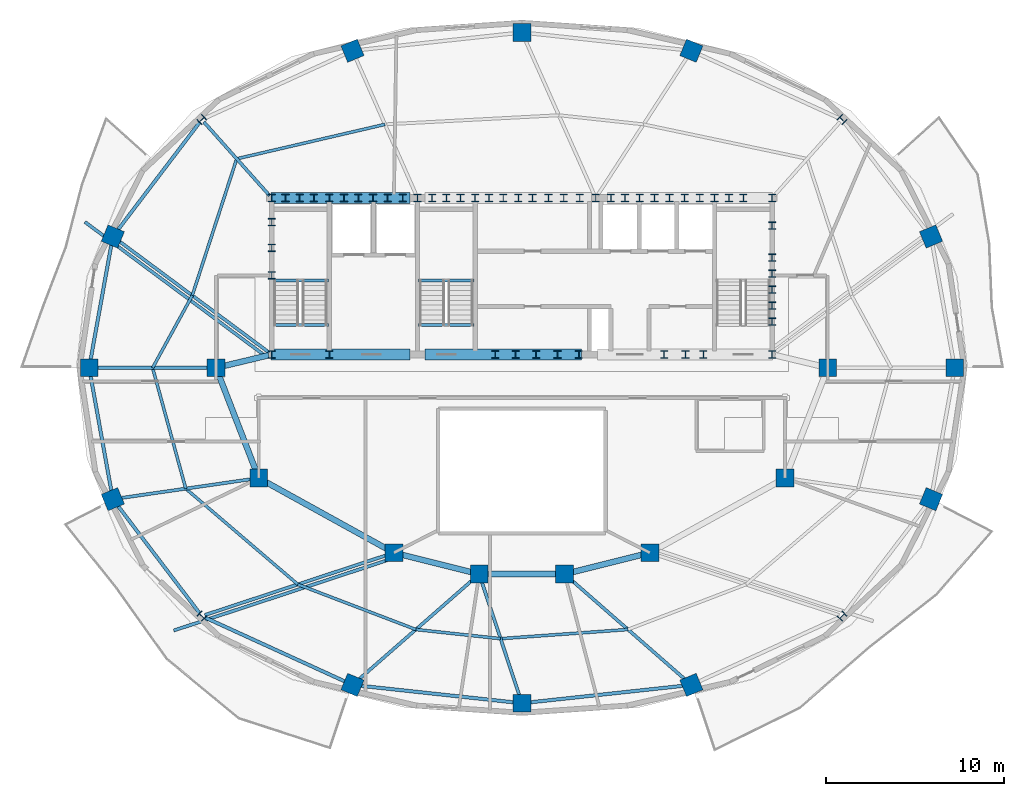
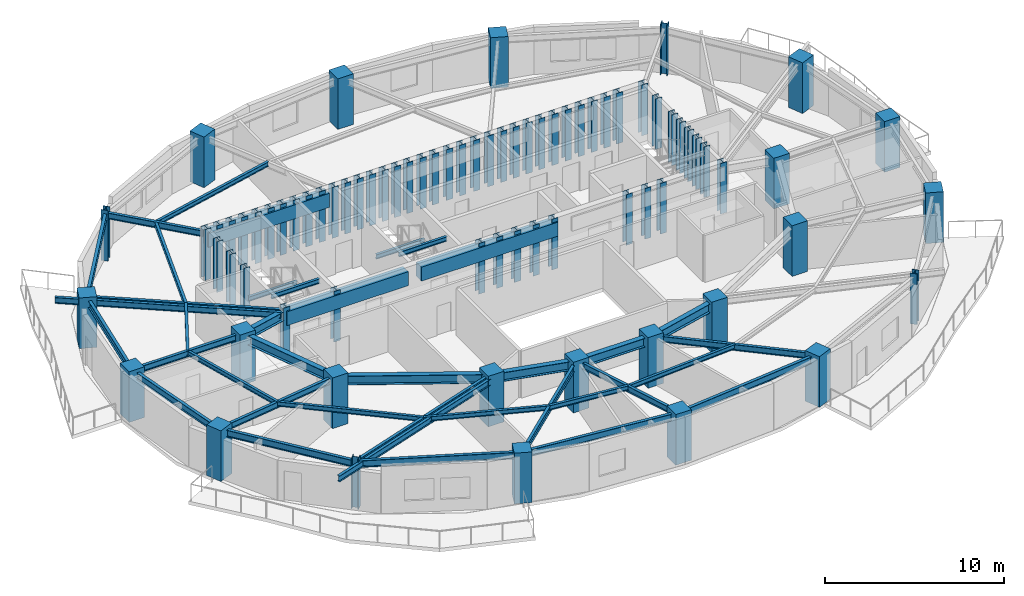
# One storey, part 1 of 9: 78 columns, 38 beams.
"""IFC4 building model written with IfcOpenShell, lengths in metres."""

from ifc_helpers import new_model, si_unit, direction, frame, origin, origin_2d, place, context, subcontext, project, spatial, rectangle, i_section, extrude, material, material_profile, profile_set, type_object, element, save


model = new_model("IFC4")

# Units and contexts
model_context = context("Model", 3, precision=1e-05, world=origin(), true_north=direction((0.0, 1.0)))
body_context = subcontext(model_context, "Body", "Model", "MODEL_VIEW")
ifc_project = project(units=[si_unit("LENGTHUNIT", "METRE"), si_unit("AREAUNIT", "SQUARE_METRE"), si_unit("VOLUMEUNIT", "CUBIC_METRE"), si_unit("PLANEANGLEUNIT", "RADIAN"), si_unit("MASSUNIT", "GRAM", prefix="KILO")], contexts=[model_context])

# Site, building, storey
site_placement = place(None, origin())
site = spatial("IfcSite", under=ifc_project, at=site_placement, CompositionType="ELEMENT")
building_placement = place(site_placement, origin())
building = spatial("IfcBuilding", under=site, at=building_placement, Name="Haldorwick Loom Tower", CompositionType="ELEMENT")
storey_placement = place(building_placement, frame((0.0, 0.0, 252.300048828125)))
storey = spatial("IfcBuildingStorey", under=building, at=storey_placement, Name="L68", CompositionType="ELEMENT", Elevation=252.300048828125)

# Columns
ifc_material_1 = material(Name="Concrete C60 (60 MPa)", Category="concrete")
ifc_material_profile_1 = material_profile(ifc_material_1, rectangle(XDim=1.0, YDim=1.0, at=origin_2d()), Name="RC1000X1000", Category="concrete")
ifc_profile_set_1 = profile_set([ifc_material_profile_1], Name="Concrete C60 (60 MPa)")
column_type_1 = type_object("IfcColumnType", Name="STR-COL-RC1000", PredefinedType="COLUMN", material=ifc_profile_set_1)
for number, where, z_axis, x_axis, name in (
    (1, (53.199951171875, 26.0, 0.0), (0.0, 0.0, 1.0), (1.0, 0.0, 0.0), "L68 Inner Column IC-01"),
    (2, (50.800048828125, 19.800048828125, 0.0), (0.0, 0.0, 1.0), (1.0, 0.0, 0.0), "L68 Inner Column IC-02"),
    (3, (43.199951171875, 15.60009765625, 0.0), (0.0, 0.0, 1.0), (1.0, 0.0, 0.0), "L68 Inner Column IC-03"),
    (4, (38.39990234375, 14.39990234375, 0.0), (0.0, 0.0, 1.0), (1.0, 0.0, 0.0), "L68 Inner Column IC-04"),
    (5, (33.60009765625, 14.39990234375, 0.0), (0.0, 0.0, 1.0), (1.0, 0.0, 0.0), "L68 Inner Column IC-05"),
    (6, (28.800048828125, 15.60009765625, 0.0), (0.0, 0.0, 1.0), (1.0, 0.0, 0.0), "L68 Inner Column IC-06"),
    (7, (21.199951171875, 19.800048828125, 0.0), (0.0, 0.0, 1.0), (1.0, 0.0, 0.0), "L68 Inner Column IC-07"),
    (8, (18.800048828125, 26.0, 0.0), (0.0, 0.0, 1.0), (1.0, 0.0, 0.0), "L68 Inner Column IC-08"),
    (9, (60.3369140625, 26.0, 0.0), (0.0, 0.0, 1.0), (1.0, 0.0, 0.0), "L68 Perimeter Pier Column P01"),
    (10, (59.004638671875, 33.3857421875, 0.0), (0.0, 0.0, 1.0), (0.923879532511, 0.382683432365, 0.0), "L68 Perimeter Pier Column P02"),
    (11, (45.52880859375, 43.830810546875, 0.0), (0.0, 0.0, 1.0), (0.382683432365, 0.923879532511, 0.0), "L68 Perimeter Pier Column P04"),
    (12, (36.0, 44.860107421875, 0.0), (0.0, 0.0, 1.0), (0.0, 1.0, 0.0), "L68 Perimeter Pier Column P05"),
    (13, (26.47119140625, 43.830810546875, 0.0), (0.0, 0.0, 1.0), (-0.382683432365, 0.923879532511, 0.0), "L68 Perimeter Pier Column P06"),
    (14, (12.995361328125, 33.3857421875, 0.0), (0.0, 0.0, 1.0), (-0.923879532511, 0.382683432365, 0.0), "L68 Perimeter Pier Column P08"),
    (15, (11.6630859375, 26.0, 0.0), (0.0, 0.0, 1.0), (-1.0, 0.0, 0.0), "L68 Perimeter Pier Column P09"),
    (16, (12.995361328125, 18.6142578125, 0.0), (0.0, 0.0, 1.0), (-0.923879532511, -0.382683432365, 0.0), "L68 Perimeter Pier Column P10"),
    (17, (26.47119140625, 8.169189453125, 0.0), (0.0, 0.0, 1.0), (-0.382683432365, -0.923879532511, 0.0), "L68 Perimeter Pier Column P12"),
    (18, (36.0, 7.139892578125, 0.0), (0.0, 0.0, 1.0), (0.0, -1.0, 0.0), "L68 Perimeter Pier Column P13"),
    (19, (45.52880859375, 8.169189453125, 0.0), (0.0, 0.0, 1.0), (0.382683432365, -0.923879532511, 0.0), "L68 Perimeter Pier Column P14"),
    (20, (59.004638671875, 18.6142578125, 0.0), (0.0, 0.0, 1.0), (0.923879532511, -0.382683432365, 0.0), "L68 Perimeter Pier Column P16"),
):
    element("IfcColumn", number, at=place(storey_placement, frame(where, z_axis=z_axis, x_axis=x_axis)), inside=storey, type_object=column_type_1, Name=name, PredefinedType="COLUMN", context=body_context, shape_type="SweptSolid", body=[
        extrude(rectangle(XDim=1.0, YDim=1.0, at=origin_2d()), origin(), (0.0, 0.0, 1.0), 3.449951171875),
    ])
ifc_material_2 = material(Name="Steel CSA G40.21 350W", Category="steel")
ifc_material_profile_2 = material_profile(ifc_material_2, i_section(OverallWidth=0.406005859375, OverallDepth=0.416015625, WebThickness=0.024169921875, FlangeThickness=0.03857421875, at=origin_2d()), Name="W360X382", Category="steel")
ifc_profile_set_2 = profile_set([ifc_material_profile_2], Name="Steel CSA G40.21 350W")
column_type_2 = type_object("IfcColumnType", Name="STR-COL-W360X382", PredefinedType="COLUMN", material=ifc_profile_set_2)
for number, where, z_axis, x_axis, name in (
    (21, (21.929931640625, 35.550048828125, 0.0), (0.0, 0.0, 1.0), (1.0, 0.0, 0.0), "L68 Core Pilaster CB-01"),
    (22, (23.5, 35.550048828125, 0.0), (0.0, 0.0, 1.0), (1.0, 0.0, 0.0), "L68 Core Pilaster CB-02"),
    (23, (25.169921875, 35.550048828125, 0.0), (0.0, 0.0, 1.0), (1.0, 0.0, 0.0), "L68 Core Pilaster CB-03"),
    (24, (26.800048828125, 35.550048828125, 0.0), (0.0, 0.0, 1.0), (1.0, 0.0, 0.0), "L68 Core Pilaster CB-04"),
    (25, (28.449951171875, 35.550048828125, 0.0), (0.0, 0.0, 1.0), (1.0, 0.0, 0.0), "L68 Core Pilaster CB-05"),
    (26, (30.1298828125, 35.550048828125, 0.0), (0.0, 0.0, 1.0), (1.0, 0.0, 0.0), "L68 Core Pilaster CB-06"),
    (27, (31.75, 35.550048828125, 0.0), (0.0, 0.0, 1.0), (1.0, 0.0, 0.0), "L68 Core Pilaster CB-07"),
    (28, (33.3701171875, 35.550048828125, 0.0), (0.0, 0.0, 1.0), (1.0, 0.0, 0.0), "L68 Core Pilaster CB-08"),
    (29, (34.949951171875, 35.550048828125, 0.0), (0.0, 0.0, 1.0), (1.0, 0.0, 0.0), "L68 Core Pilaster CB-09"),
    (30, (36.60009765625, 35.550048828125, 0.0), (0.0, 0.0, 1.0), (1.0, 0.0, 0.0), "L68 Core Pilaster CB-10"),
    (31, (38.35009765625, 35.550048828125, 0.0), (0.0, 0.0, 1.0), (1.0, 0.0, 0.0), "L68 Core Pilaster CB-11"),
    (32, (40.14990234375, 35.550048828125, 0.0), (0.0, 0.0, 1.0), (1.0, 0.0, 0.0), "L68 Core Pilaster CB-12"),
    (33, (41.800048828125, 35.550048828125, 0.0), (0.0, 0.0, 1.0), (1.0, 0.0, 0.0), "L68 Core Pilaster CB-13"),
    (34, (43.449951171875, 35.550048828125, 0.0), (0.0, 0.0, 1.0), (1.0, 0.0, 0.0), "L68 Core Pilaster CB-14"),
    (35, (45.14990234375, 35.550048828125, 0.0), (0.0, 0.0, 1.0), (1.0, 0.0, 0.0), "L68 Core Pilaster CB-15"),
    (36, (46.830078125, 35.550048828125, 0.0), (0.0, 0.0, 1.0), (1.0, 0.0, 0.0), "L68 Core Pilaster CB-16"),
    (37, (48.449951171875, 35.550048828125, 0.0), (0.0, 0.0, 1.0), (1.0, 0.0, 0.0), "L68 Core Pilaster CB-17"),
    (38, (50.070068359375, 35.550048828125, 0.0), (0.0, 0.0, 1.0), (1.0, 0.0, 0.0), "L68 Core Pilaster CB-18"),
    (39, (21.929931640625, 26.75, 0.0), (0.0, 0.0, 1.0), (1.0, 0.0, 0.0), "L68 Core Pilaster CB-19"),
    (40, (25.169921875, 26.75, 0.0), (0.0, 0.0, 1.0), (1.0, 0.0, 0.0), "L68 Core Pilaster CB-20"),
    (41, (34.5, 26.75, 0.0), (0.0, 0.0, 1.0), (1.0, 0.0, 0.0), "L68 Core Pilaster CB-21"),
    (42, (36.800048828125, 26.75, 0.0), (0.0, 0.0, 1.0), (1.0, 0.0, 0.0), "L68 Core Pilaster CB-22"),
    (43, (39.199951171875, 26.75, 0.0), (0.0, 0.0, 1.0), (1.0, 0.0, 0.0), "L68 Core Pilaster CB-23"),
    (44, (45.199951171875, 26.75, 0.0), (0.0, 0.0, 1.0), (1.0, 0.0, 0.0), "L68 Core Pilaster CB-24"),
    (45, (50.070068359375, 26.75, 0.0), (0.0, 0.0, 1.0), (1.0, 0.0, 0.0), "L68 Core Pilaster CB-25"),
    (46, (21.929931640625, 31.199951171875, 0.0), (0.0, 0.0, 1.0), (1.0, 0.0, 0.0), "L68 Core Pilaster CB-26"),
    (47, (21.929931640625, 32.75, 0.0), (0.0, 0.0, 1.0), (1.0, 0.0, 0.0), "L68 Core Pilaster CB-27"),
    (48, (21.929931640625, 34.199951171875, 0.0), (0.0, 0.0, 1.0), (1.0, 0.0, 0.0), "L68 Core Pilaster CB-28"),
    (49, (50.070068359375, 28.60009765625, 0.0), (0.0, 0.0, 1.0), (1.0, 0.0, 0.0), "L68 Core Pilaster CB-29"),
    (50, (50.070068359375, 30.39990234375, 0.0), (0.0, 0.0, 1.0), (1.0, 0.0, 0.0), "L68 Core Pilaster CB-30"),
    (51, (50.070068359375, 32.199951171875, 0.0), (0.0, 0.0, 1.0), (1.0, 0.0, 0.0), "L68 Core Pilaster CB-31"),
    (52, (50.070068359375, 34.0, 0.0), (0.0, 0.0, 1.0), (1.0, 0.0, 0.0), "L68 Core Pilaster CB-32"),
    (53, (22.699951171875, 35.550048828125, 0.0), (0.0, 0.0, 1.0), (1.0, 0.0, 0.0), "L68 Core Pilaster CB-33"),
    (54, (27.6201171875, 35.550048828125, 0.0), (0.0, 0.0, 1.0), (1.0, 0.0, 0.0), "L68 Core Pilaster CB-34"),
    (55, (32.550048828125, 35.550048828125, 0.0), (0.0, 0.0, 1.0), (1.0, 0.0, 0.0), "L68 Core Pilaster CB-35"),
    (56, (37.5, 35.550048828125, 0.0), (0.0, 0.0, 1.0), (1.0, 0.0, 0.0), "L68 Core Pilaster CB-36"),
    (57, (42.6201171875, 35.550048828125, 0.0), (0.0, 0.0, 1.0), (1.0, 0.0, 0.0), "L68 Core Pilaster CB-37"),
    (58, (47.64990234375, 35.550048828125, 0.0), (0.0, 0.0, 1.0), (1.0, 0.0, 0.0), "L68 Core Pilaster CB-38"),
    (59, (24.300048828125, 35.550048828125, 0.0), (0.0, 0.0, 1.0), (1.0, 0.0, 0.0), "L68 Core Pilaster CB-39"),
    (60, (26.0, 35.550048828125, 0.0), (0.0, 0.0, 1.0), (1.0, 0.0, 0.0), "L68 Core Pilaster CB-40"),
    (61, (29.300048828125, 35.550048828125, 0.0), (0.0, 0.0, 1.0), (1.0, 0.0, 0.0), "L68 Core Pilaster CB-41"),
    (62, (30.949951171875, 35.550048828125, 0.0), (0.0, 0.0, 1.0), (1.0, 0.0, 0.0), "L68 Core Pilaster CB-42"),
    (63, (34.14990234375, 35.550048828125, 0.0), (0.0, 0.0, 1.0), (1.0, 0.0, 0.0), "L68 Core Pilaster CB-43"),
    (64, (35.800048828125, 35.550048828125, 0.0), (0.0, 0.0, 1.0), (1.0, 0.0, 0.0), "L68 Core Pilaster CB-44"),
    (65, (39.25, 35.550048828125, 0.0), (0.0, 0.0, 1.0), (1.0, 0.0, 0.0), "L68 Core Pilaster CB-45"),
    (66, (41.0, 35.550048828125, 0.0), (0.0, 0.0, 1.0), (1.0, 0.0, 0.0), "L68 Core Pilaster CB-46"),
    (67, (44.300048828125, 35.550048828125, 0.0), (0.0, 0.0, 1.0), (1.0, 0.0, 0.0), "L68 Core Pilaster CB-47"),
    (68, (46.0, 35.550048828125, 0.0), (0.0, 0.0, 1.0), (1.0, 0.0, 0.0), "L68 Core Pilaster CB-48"),
    (69, (50.070068359375, 29.5, 0.0), (0.0, 0.0, 1.0), (1.0, 0.0, 0.0), "L68 Core Pilaster CB-49"),
    (70, (50.070068359375, 31.300048828125, 0.0), (0.0, 0.0, 1.0), (1.0, 0.0, 0.0), "L68 Core Pilaster CB-50"),
    (71, (35.64990234375, 26.75, 0.0), (0.0, 0.0, 1.0), (1.0, 0.0, 0.0), "L68 Core Pilaster CB-51"),
    (72, (38.0, 26.75, 0.0), (0.0, 0.0, 1.0), (1.0, 0.0, 0.0), "L68 Core Pilaster CB-52"),
    (73, (44.0, 26.75, 0.0), (0.0, 0.0, 1.0), (1.0, 0.0, 0.0), "L68 Core Pilaster CB-53"),
    (74, (46.199951171875, 26.75, 0.0), (0.0, 0.0, 1.0), (1.0, 0.0, 0.0), "L68 Core Pilaster CB-54"),
    (75, (54.005126953125, 39.958251953125, 0.0), (0.0, 0.0, 1.0), (0.707106781187, 0.707106781187, 0.0), "L68 Perimeter Pier Column P03"),
    (76, (17.994873046875, 39.958251953125, 0.0), (0.0, 0.0, 1.0), (-0.707106781187, 0.707106781187, 0.0), "L68 Perimeter Pier Column P07"),
    (77, (17.994873046875, 12.041748046875, 0.0), (0.0, 0.0, 1.0), (-0.707106781187, -0.707106781187, 0.0), "L68 Perimeter Pier Column P11"),
    (78, (54.005126953125, 12.041748046875, 0.0), (0.0, 0.0, 1.0), (0.707106781187, -0.707106781187, 0.0), "L68 Perimeter Pier Column P15"),
):
    element("IfcColumn", number, at=place(storey_placement, frame(where, z_axis=z_axis, x_axis=x_axis)), inside=storey, type_object=column_type_2, Name=name, PredefinedType="COLUMN", context=body_context, shape_type="SweptSolid", body=[
        extrude(i_section(OverallWidth=0.406005859375, OverallDepth=0.416015625, WebThickness=0.024169921875, FlangeThickness=0.03857421875, at=origin_2d()), origin(), (0.0, 0.0, 1.0), 3.449951171875),
    ])

# Beams
ifc_material_profile_3 = material_profile(ifc_material_2, i_section(OverallWidth=0.179931640625, OverallDepth=0.4130859375, WebThickness=0.009765625, FlangeThickness=0.01611328125, at=origin_2d()), Name="W410X74", Category="steel")
ifc_profile_set_3 = profile_set([ifc_material_profile_3], Name="Steel CSA G40.21 350W")
beam_type_1 = type_object("IfcBeamType", Name="STR-BM-BAL410", PredefinedType="BEAM", material=ifc_profile_set_3)
beam_1_placement = place(storey_placement, frame((28.436279296875, 15.185546875, 3.00341796875), z_axis=(-0.949817650067, -0.312804142589, 0.0), x_axis=(0.312804142589, -0.949817650067, 0.0)))
element("IfcBeam", 79, at=beam_1_placement, inside=storey, type_object=beam_type_1, Name="L68 Continuous Back-Spanned Balcony Beam 2", PredefinedType="BEAM", context=body_context, shape_type="SweptSolid", body=[
    extrude(i_section(OverallWidth=0.179931640625, OverallDepth=0.4130859375, WebThickness=0.009765625, FlangeThickness=0.01611328125, at=origin_2d()), origin(), (0.0, 0.0, 1.0), 12.65087890625),
])
beam_2_placement = place(storey_placement, frame((21.6201171875, 26.63134765625, 3.00341796875), z_axis=(-0.802802996116, 0.596244370562, 0.0), x_axis=(-0.596244370562, -0.802802996116, 0.0)))
element("IfcBeam", 80, at=beam_2_placement, inside=storey, type_object=beam_type_1, Name="L68 Continuous Back-Spanned Balcony Beam 3", PredefinedType="BEAM", context=body_context, shape_type="SweptSolid", body=[
    extrude(i_section(OverallWidth=0.179931640625, OverallDepth=0.4130859375, WebThickness=0.009765625, FlangeThickness=0.01611328125, at=origin_2d()), origin(), (0.0, 0.0, 1.0), 12.701171875),
])
ifc_material_3 = material(Name="Concrete C50 (50 MPa)", Category="concrete")
ifc_material_profile_4 = material_profile(ifc_material_3, rectangle(XDim=0.60009765625, YDim=0.949951171875, at=origin_2d()), Name="RC600X950", Category="concrete")
ifc_profile_set_4 = profile_set([ifc_material_profile_4], Name="Concrete C50 (50 MPa)")
beam_type_2 = type_object("IfcBeamType", Name="STR-BM-CB950", PredefinedType="LINTEL", material=ifc_profile_set_4)
for number, where, z_axis, x_axis, name in (
    (81, (21.89990234375, 35.550048828125, 2.73486328125), (1.0, 0.0, 0.0), (0.0, 1.0, 0.0), "L68 Core Coupling Beam CB-N1"),
    (82, (21.89990234375, 26.75, 2.73486328125), (1.0, 0.0, 0.0), (0.0, 1.0, 0.0), "L68 Core Coupling Beam CB-S1"),
):
    element("IfcBeam", number, at=place(storey_placement, frame(where, z_axis=z_axis, x_axis=x_axis)), inside=storey, type_object=beam_type_2, Name=name, PredefinedType="LINTEL", context=body_context, shape_type="SweptSolid", body=[
        extrude(rectangle(XDim=0.60009765625, YDim=0.949951171875, at=origin_2d()), origin(), (0.0, 0.0, 1.0), 7.800048828125),
    ])
beam_3_placement = place(storey_placement, frame((30.550048828125, 26.75, 2.73486328125), z_axis=(1.0, 0.0, 0.0), x_axis=(0.0, 1.0, 0.0)))
element("IfcBeam", 83, at=beam_3_placement, inside=storey, type_object=beam_type_2, Name="L68 Core Coupling Beam CB-S2", PredefinedType="LINTEL", context=body_context, shape_type="SweptSolid", body=[
    extrude(rectangle(XDim=0.60009765625, YDim=0.949951171875, at=origin_2d()), origin(), (0.0, 0.0, 1.0), 8.800048828125),
])
ifc_material_profile_5 = material_profile(ifc_material_2, i_section(OverallWidth=0.166015625, OverallDepth=0.31298828125, WebThickness=0.006591796875, FlangeThickness=0.01123046875, at=origin_2d()), Name="W310X45", Category="steel")
ifc_profile_set_5 = profile_set([ifc_material_profile_5], Name="Steel CSA G40.21 350W")
beam_type_3 = type_object("IfcBeamType", Name="STR-BM-J310", PredefinedType="JOIST", material=ifc_profile_set_5)
beam_4_placement = place(storey_placement, frame((28.300537109375, 39.6904296875, 3.053466796875), z_axis=(-0.974080706337, -0.226200746112, 0.0), x_axis=(0.226200746112, -0.974080706337, 0.0)))
element("IfcBeam", 84, at=beam_4_placement, inside=storey, type_object=beam_type_3, Name="L68 Mid-Bay Secondary Joist 6", PredefinedType="JOIST", context=body_context, shape_type="SweptSolid", body=[
    extrude(i_section(OverallWidth=0.166015625, OverallDepth=0.31298828125, WebThickness=0.006591796875, FlangeThickness=0.01123046875, at=origin_2d()), origin(), (0.0, 0.0, 1.0), 8.56005859375),
])
beam_5_placement = place(storey_placement, frame((19.96240234375, 37.754150390625, 3.053466796875), z_axis=(-0.309277990337, -0.95097167397, 0.0), x_axis=(0.95097167397, -0.309277990337, 0.0)))
element("IfcBeam", 85, at=beam_5_placement, inside=storey, type_object=beam_type_3, Name="L68 Mid-Bay Secondary Joist 7", PredefinedType="JOIST", context=body_context, shape_type="SweptSolid", body=[
    extrude(i_section(OverallWidth=0.166015625, OverallDepth=0.31298828125, WebThickness=0.006591796875, FlangeThickness=0.01123046875, at=origin_2d()), origin(), (0.0, 0.0, 1.0), 8.08251953125),
])
beam_6_placement = place(storey_placement, frame((17.462646484375, 30.06787109375, 3.053466796875), z_axis=(-0.480863931781, -0.876795232145, 0.0), x_axis=(0.876795232145, -0.480863931781, 0.0)))
element("IfcBeam", 86, at=beam_6_placement, inside=storey, type_object=beam_type_3, Name="L68 Mid-Bay Secondary Joist 8", PredefinedType="JOIST", context=body_context, shape_type="SweptSolid", body=[
    extrude(i_section(OverallWidth=0.166015625, OverallDepth=0.31298828125, WebThickness=0.006591796875, FlangeThickness=0.01123046875, at=origin_2d()), origin(), (0.0, 0.0, 1.0), 4.639404296875),
])
beam_7_placement = place(storey_placement, frame((15.231689453125, 26.0, 3.053466796875), z_axis=(0.264879381431, -0.964281552915, 0.0), x_axis=(0.964281552915, 0.264879381431, 0.0)))
element("IfcBeam", 87, at=beam_7_placement, inside=storey, type_object=beam_type_3, Name="L68 Mid-Bay Secondary Joist 9", PredefinedType="JOIST", context=body_context, shape_type="SweptSolid", body=[
    extrude(i_section(OverallWidth=0.166015625, OverallDepth=0.31298828125, WebThickness=0.006591796875, FlangeThickness=0.01123046875, at=origin_2d()), origin(), (0.0, 0.0, 1.0), 7.044677734375),
])
beam_8_placement = place(storey_placement, frame((17.09765625, 19.20703125, 3.053466796875), z_axis=(0.760066902561, -0.649844830426, 0.0), x_axis=(0.649844830426, 0.760066902561, 0.0)))
element("IfcBeam", 88, at=beam_8_placement, inside=storey, type_object=beam_type_3, Name="L68 Mid-Bay Secondary Joist 10", PredefinedType="JOIST", context=body_context, shape_type="SweptSolid", body=[
    extrude(i_section(OverallWidth=0.166015625, OverallDepth=0.31298828125, WebThickness=0.006591796875, FlangeThickness=0.01123046875, at=origin_2d()), origin(), (0.0, 0.0, 1.0), 8.28857421875),
])
beam_9_placement = place(storey_placement, frame((23.3974609375, 13.82080078125, 3.053466796875), z_axis=(0.934134056558, -0.356922350628, 0.0), x_axis=(0.356922350628, 0.934134056558, 0.0)))
element("IfcBeam", 89, at=beam_9_placement, inside=storey, type_object=beam_type_3, Name="L68 Mid-Bay Secondary Joist 11", PredefinedType="JOIST", context=body_context, shape_type="SweptSolid", body=[
    extrude(i_section(OverallWidth=0.166015625, OverallDepth=0.31298828125, WebThickness=0.006591796875, FlangeThickness=0.01123046875, at=origin_2d()), origin(), (0.0, 0.0, 1.0), 7.106201171875),
])
beam_10_placement = place(storey_placement, frame((30.03564453125, 11.284423828125, 3.053466796875), z_axis=(0.994221899005, -0.107344378232, 0.0), x_axis=(0.107344378232, 0.994221899005, 0.0)))
element("IfcBeam", 90, at=beam_10_placement, inside=storey, type_object=beam_type_3, Name="L68 Mid-Bay Secondary Joist 12", PredefinedType="JOIST", context=body_context, shape_type="SweptSolid", body=[
    extrude(i_section(OverallWidth=0.166015625, OverallDepth=0.31298828125, WebThickness=0.006591796875, FlangeThickness=0.01123046875, at=origin_2d()), origin(), (0.0, 0.0, 1.0), 4.7919921875),
])
beam_11_placement = place(storey_placement, frame((34.800048828125, 10.77001953125, 3.053466796875), z_axis=(0.997432233153, 0.071616620046, 0.0), x_axis=(-0.071616620046, 0.997432233153, 0.0)))
element("IfcBeam", 91, at=beam_11_placement, inside=storey, type_object=beam_type_3, Name="L68 Mid-Bay Secondary Joist 13", PredefinedType="JOIST", context=body_context, shape_type="SweptSolid", body=[
    extrude(i_section(OverallWidth=0.166015625, OverallDepth=0.31298828125, WebThickness=0.006591796875, FlangeThickness=0.01123046875, at=origin_2d()), origin(), (0.0, 0.0, 1.0), 7.182861328125),
])
ifc_material_profile_6 = material_profile(ifc_material_2, i_section(OverallWidth=0.179931640625, OverallDepth=0.4130859375, WebThickness=0.009765625, FlangeThickness=0.01611328125, at=origin_2d()), Name="W410X74", Category="steel")
ifc_profile_set_6 = profile_set([ifc_material_profile_6], Name="Steel CSA G40.21 350W")
beam_type_4 = type_object("IfcBeamType", Name="STR-BM-J410", PredefinedType="JOIST", material=ifc_profile_set_6)
beam_12_placement = place(storey_placement, frame((21.8115234375, 35.682861328125, 3.00341796875), z_axis=(-0.665966842703, 0.745981343212, 0.0), x_axis=(-0.745981343212, -0.665966842703, 0.0)))
element("IfcBeam", 92, at=beam_12_placement, inside=storey, type_object=beam_type_4, Name="L68 Radial Floor Girder 7", PredefinedType="JOIST", context=body_context, shape_type="SweptSolid", body=[
    extrude(i_section(OverallWidth=0.179931640625, OverallDepth=0.4130859375, WebThickness=0.009765625, FlangeThickness=0.01611328125, at=origin_2d()), origin(), (0.0, 0.0, 1.0), 5.55322265625),
])
beam_13_placement = place(storey_placement, frame((21.787109375, 26.856201171875, 3.00341796875), z_axis=(-0.802807271117, 0.596238614518, 0.0), x_axis=(-0.596238614518, -0.802807271117, 0.0)))
element("IfcBeam", 93, at=beam_13_placement, inside=storey, type_object=beam_type_4, Name="L68 Radial Floor Girder 8", PredefinedType="JOIST", context=body_context, shape_type="SweptSolid", body=[
    extrude(i_section(OverallWidth=0.179931640625, OverallDepth=0.4130859375, WebThickness=0.009765625, FlangeThickness=0.01611328125, at=origin_2d()), origin(), (0.0, 0.0, 1.0), 10.476318359375),
])
beam_14_placement = place(storey_placement, frame((18.324951171875, 26.0, 3.00341796875), z_axis=(-1.0, 0.0, 0.0), x_axis=(0.0, -1.0, 0.0)))
element("IfcBeam", 94, at=beam_14_placement, inside=storey, type_object=beam_type_4, Name="L68 Radial Floor Girder 9", PredefinedType="JOIST", context=body_context, shape_type="SweptSolid", body=[
    extrude(i_section(OverallWidth=0.179931640625, OverallDepth=0.4130859375, WebThickness=0.009765625, FlangeThickness=0.01611328125, at=origin_2d()), origin(), (0.0, 0.0, 1.0), 6.186767578125),
])
beam_15_placement = place(storey_placement, frame((20.72998046875, 19.732177734375, 3.00341796875), z_axis=(-0.989713971376, -0.143060318968, 0.0), x_axis=(0.143060318968, -0.989713971376, 0.0)))
element("IfcBeam", 95, at=beam_15_placement, inside=storey, type_object=beam_type_4, Name="L68 Radial Floor Girder 10", PredefinedType="JOIST", context=body_context, shape_type="SweptSolid", body=[
    extrude(i_section(OverallWidth=0.179931640625, OverallDepth=0.4130859375, WebThickness=0.009765625, FlangeThickness=0.01611328125, at=origin_2d()), origin(), (0.0, 0.0, 1.0), 7.33984375),
])
beam_16_placement = place(storey_placement, frame((28.348876953125, 15.451416015625, 3.00341796875), z_axis=(-0.94982454623, -0.312783201882, 0.0), x_axis=(0.312783201882, -0.94982454623, 0.0)))
element("IfcBeam", 96, at=beam_16_placement, inside=storey, type_object=beam_type_4, Name="L68 Radial Floor Girder 11", PredefinedType="JOIST", context=body_context, shape_type="SweptSolid", body=[
    extrude(i_section(OverallWidth=0.179931640625, OverallDepth=0.4130859375, WebThickness=0.009765625, FlangeThickness=0.01611328125, at=origin_2d()), origin(), (0.0, 0.0, 1.0), 10.72314453125),
])
beam_17_placement = place(storey_placement, frame((33.242431640625, 14.08740234375, 3.00341796875), z_axis=(-0.752935231169, -0.65809462668, 0.0), x_axis=(0.65809462668, -0.752935231169, 0.0)))
element("IfcBeam", 97, at=beam_17_placement, inside=storey, type_object=beam_type_4, Name="L68 Radial Floor Girder 12", PredefinedType="JOIST", context=body_context, shape_type="SweptSolid", body=[
    extrude(i_section(OverallWidth=0.179931640625, OverallDepth=0.4130859375, WebThickness=0.009765625, FlangeThickness=0.01611328125, at=origin_2d()), origin(), (0.0, 0.0, 1.0), 8.51806640625),
])
beam_18_placement = place(storey_placement, frame((33.7490234375, 13.948974609375, 3.00341796875), z_axis=(0.31387519153, -0.949464251113, 0.0), x_axis=(0.949464251113, 0.31387519153, 0.0)))
element("IfcBeam", 98, at=beam_18_placement, inside=storey, type_object=beam_type_4, Name="L68 Radial Floor Girder 13", PredefinedType="JOIST", context=body_context, shape_type="SweptSolid", body=[
    extrude(i_section(OverallWidth=0.179931640625, OverallDepth=0.4130859375, WebThickness=0.009765625, FlangeThickness=0.01611328125, at=origin_2d()), origin(), (0.0, 0.0, 1.0), 6.6962890625),
])
beam_19_placement = place(storey_placement, frame((38.757568359375, 14.08740234375, 3.00341796875), z_axis=(0.752935231169, -0.65809462668, 0.0), x_axis=(0.65809462668, 0.752935231169, 0.0)))
element("IfcBeam", 99, at=beam_19_placement, inside=storey, type_object=beam_type_4, Name="L68 Radial Floor Girder 14", PredefinedType="JOIST", context=body_context, shape_type="SweptSolid", body=[
    extrude(i_section(OverallWidth=0.179931640625, OverallDepth=0.4130859375, WebThickness=0.009765625, FlangeThickness=0.01611328125, at=origin_2d()), origin(), (0.0, 0.0, 1.0), 8.51806640625),
])
ifc_material_profile_7 = material_profile(ifc_material_2, i_section(OverallWidth=0.193115234375, OverallDepth=0.466064453125, WebThickness=0.011474609375, FlangeThickness=0.01904296875, at=origin_2d()), Name="W460X97", Category="steel")
ifc_profile_set_7 = profile_set([ifc_material_profile_7], Name="Steel CSA G40.21 350W")
beam_type_5 = type_object("IfcBeamType", Name="STR-BM-SP460", PredefinedType="SPANDREL", material=ifc_profile_set_7)
beam_20_placement = place(storey_placement, frame((17.886962890625, 39.816650390625, 2.97705078125), z_axis=(-0.605410439126, -0.795913437629, 0.0), x_axis=(0.795913437629, -0.605410439126, 0.0)))
element("IfcBeam", 100, at=beam_20_placement, inside=storey, type_object=beam_type_5, Name="L68 Perimeter Spandrel 7", PredefinedType="SPANDREL", context=body_context, shape_type="SweptSolid", body=[
    extrude(i_section(OverallWidth=0.193115234375, OverallDepth=0.466064453125, WebThickness=0.011474609375, FlangeThickness=0.01904296875, at=origin_2d()), origin(), (0.0, 0.0, 1.0), 7.604736328125),
])
for number, where, z_axis, x_axis, name in (
    (101, (12.9111328125, 32.918212890625, 2.97705078125), (-0.177515201984, -0.984118058499, 0.0), (0.984118058499, -0.177515201984, 0.0), "L68 Perimeter Spandrel 8"),
    (102, (11.74755859375, 25.532470703125, 2.97705078125), (0.177515201984, -0.984118058499, 0.0), (0.984118058499, 0.177515201984, 0.0), "L68 Perimeter Spandrel 9"),
):
    element("IfcBeam", number, at=place(storey_placement, frame(where, z_axis=z_axis, x_axis=x_axis)), inside=storey, type_object=beam_type_5, Name=name, PredefinedType="SPANDREL", context=body_context, shape_type="SweptSolid", body=[
        extrude(i_section(OverallWidth=0.193115234375, OverallDepth=0.466064453125, WebThickness=0.011474609375, FlangeThickness=0.01904296875, at=origin_2d()), origin(), (0.0, 0.0, 1.0), 6.5546875),
    ])
beam_21_placement = place(storey_placement, frame((13.282958984375, 18.236083984375, 2.97705078125), z_axis=(0.605410439126, -0.795913437629, 0.0), x_axis=(0.795913437629, 0.605410439126, 0.0)))
element("IfcBeam", 103, at=beam_21_placement, inside=storey, type_object=beam_type_5, Name="L68 Perimeter Spandrel 10", PredefinedType="SPANDREL", context=body_context, shape_type="SweptSolid", body=[
    extrude(i_section(OverallWidth=0.193115234375, OverallDepth=0.466064453125, WebThickness=0.011474609375, FlangeThickness=0.01904296875, at=origin_2d()), origin(), (0.0, 0.0, 1.0), 7.604736328125),
])
beam_22_placement = place(storey_placement, frame((18.15673828125, 11.9677734375, 2.97705078125), z_axis=(0.909567887863, -0.415555360172, 0.0), x_axis=(0.415555360172, 0.909567887863, 0.0)))
element("IfcBeam", 104, at=beam_22_placement, inside=storey, type_object=beam_type_5, Name="L68 Perimeter Spandrel 11", PredefinedType="SPANDREL", context=body_context, shape_type="SweptSolid", body=[
    extrude(i_section(OverallWidth=0.193115234375, OverallDepth=0.466064453125, WebThickness=0.011474609375, FlangeThickness=0.01904296875, at=origin_2d()), origin(), (0.0, 0.0, 1.0), 8.666259765625),
])
for number, where, z_axis, x_axis, name in (
    (105, (26.943603515625, 8.1181640625, 2.97705078125), (0.994216353781, -0.107395725588, 0.0), (0.107395725588, 0.994216353781, 0.0), "L68 Perimeter Spandrel 12"),
    (106, (36.472412109375, 7.19091796875, 2.97705078125), (0.994216353781, 0.107395725588, 0.0), (-0.107395725588, 0.994216353781, 0.0), "L68 Perimeter Spandrel 13"),
):
    element("IfcBeam", number, at=place(storey_placement, frame(where, z_axis=z_axis, x_axis=x_axis)), inside=storey, type_object=beam_type_5, Name=name, PredefinedType="SPANDREL", context=body_context, shape_type="SweptSolid", body=[
        extrude(i_section(OverallWidth=0.193115234375, OverallDepth=0.466064453125, WebThickness=0.011474609375, FlangeThickness=0.01904296875, at=origin_2d()), origin(), (0.0, 0.0, 1.0), 8.634033203125),
    ])
ifc_material_profile_8 = material_profile(ifc_material_2, i_section(OverallWidth=0.166015625, OverallDepth=0.31298828125, WebThickness=0.006591796875, FlangeThickness=0.01123046875, at=origin_2d()), Name="W310X45", Category="steel")
ifc_profile_set_8 = profile_set([ifc_material_profile_8], Name="Steel CSA G40.21 350W")
beam_type_6 = type_object("IfcBeamType", Name="STR-BM-STRM", PredefinedType="BEAM", material=ifc_profile_set_8)
for number, where, z_axis, x_axis, name in (
    (107, (21.989990234375, 28.39990234375, 3.053466796875), (1.0, 0.0, 0.0), (0.0, 1.0, 0.0), "L68 Stair ST-01 Landing Edge Trimmer"),
    (108, (21.989990234375, 30.919921875, 1.368408203125), (1.0, 0.0, 0.0), (0.0, 1.0, 0.0), "L68 Stair ST-01 Half-Landing Trimmer 1"),
    (109, (30.18994140625, 28.39990234375, 3.053466796875), (1.0, 0.0, 0.0), (0.0, 1.0, 0.0), "L68 Stair ST-03 Landing Edge Trimmer"),
    (110, (30.18994140625, 30.919921875, 1.368408203125), (1.0, 0.0, 0.0), (0.0, 1.0, 0.0), "L68 Stair ST-03 Half-Landing Trimmer 1"),
):
    element("IfcBeam", number, at=place(storey_placement, frame(where, z_axis=z_axis, x_axis=x_axis)), inside=storey, type_object=beam_type_6, Name=name, PredefinedType="BEAM", context=body_context, shape_type="SweptSolid", body=[
        extrude(i_section(OverallWidth=0.166015625, OverallDepth=0.31298828125, WebThickness=0.006591796875, FlangeThickness=0.01123046875, at=origin_2d()), origin(), (0.0, 0.0, 1.0), 3.1201171875),
    ])
ifc_material_profile_9 = material_profile(ifc_material_2, i_section(OverallWidth=0.324951171875, OverallDepth=0.615966796875, WebThickness=0.013916015625, FlangeThickness=0.021484375, at=origin_2d()), Name="W610X174", Category="steel")
ifc_profile_set_9 = profile_set([ifc_material_profile_9], Name="Steel CSA G40.21 350W")
beam_type_7 = type_object("IfcBeamType", Name="STR-BM-W610A", PredefinedType="BEAM", material=ifc_profile_set_9)
beam_23_placement = place(storey_placement, frame((42.7392578125, 15.48486328125, 2.90185546875), z_axis=(-0.970135315182, -0.242564363081, 0.0), x_axis=(0.242564363081, -0.970135315182, 0.0)))
element("IfcBeam", 111, at=beam_23_placement, inside=storey, type_object=beam_type_7, Name="L68 Inner Ring Girder 4", PredefinedType="BEAM", context=body_context, shape_type="SweptSolid", body=[
    extrude(i_section(OverallWidth=0.324951171875, OverallDepth=0.615966796875, WebThickness=0.013916015625, FlangeThickness=0.021484375, at=origin_2d()), origin(), (0.0, 0.0, 1.0), 3.997802734375),
])
beam_24_placement = place(storey_placement, frame((37.925048828125, 14.39990234375, 2.90185546875), z_axis=(-1.0, 0.0, 0.0), x_axis=(0.0, -1.0, 0.0)))
element("IfcBeam", 112, at=beam_24_placement, inside=storey, type_object=beam_type_7, Name="L68 Inner Ring Girder 5", PredefinedType="BEAM", context=body_context, shape_type="SweptSolid", body=[
    extrude(i_section(OverallWidth=0.324951171875, OverallDepth=0.615966796875, WebThickness=0.013916015625, FlangeThickness=0.021484375, at=origin_2d()), origin(), (0.0, 0.0, 1.0), 3.85009765625),
])
beam_25_placement = place(storey_placement, frame((33.13916015625, 14.51513671875, 2.90185546875), z_axis=(-0.970135315182, 0.242564363081, 0.0), x_axis=(-0.242564363081, -0.970135315182, 0.0)))
element("IfcBeam", 113, at=beam_25_placement, inside=storey, type_object=beam_type_7, Name="L68 Inner Ring Girder 6", PredefinedType="BEAM", context=body_context, shape_type="SweptSolid", body=[
    extrude(i_section(OverallWidth=0.324951171875, OverallDepth=0.615966796875, WebThickness=0.013916015625, FlangeThickness=0.021484375, at=origin_2d()), origin(), (0.0, 0.0, 1.0), 3.997802734375),
])
beam_26_placement = place(storey_placement, frame((28.38427734375, 15.829833984375, 2.90185546875), z_axis=(-0.875243645673, 0.483682293152, 0.0), x_axis=(-0.483682293152, -0.875243645673, 0.0)))
element("IfcBeam", 114, at=beam_26_placement, inside=storey, type_object=beam_type_7, Name="L68 Inner Ring Girder 7", PredefinedType="BEAM", context=body_context, shape_type="SweptSolid", body=[
    extrude(i_section(OverallWidth=0.324951171875, OverallDepth=0.615966796875, WebThickness=0.013916015625, FlangeThickness=0.021484375, at=origin_2d()), origin(), (0.0, 0.0, 1.0), 7.7333984375),
])
beam_27_placement = place(storey_placement, frame((21.028564453125, 20.242919921875, 2.90185546875), z_axis=(-0.36101093026, 0.93256158415, 0.0), x_axis=(-0.93256158415, -0.36101093026, 0.0)))
element("IfcBeam", 115, at=beam_27_placement, inside=storey, type_object=beam_type_7, Name="L68 Inner Ring Girder 8", PredefinedType="BEAM", context=body_context, shape_type="SweptSolid", body=[
    extrude(i_section(OverallWidth=0.324951171875, OverallDepth=0.615966796875, WebThickness=0.013916015625, FlangeThickness=0.021484375, at=origin_2d()), origin(), (0.0, 0.0, 1.0), 5.6982421875),
])
beam_28_placement = place(storey_placement, frame((19.261962890625, 26.110595703125, 2.90185546875), z_axis=(0.972464127734, 0.233052612665, 0.0), x_axis=(-0.233052612665, 0.972464127734, 0.0)))
element("IfcBeam", 116, at=beam_28_placement, inside=storey, type_object=beam_type_7, Name="L68 Inner Ring Girder 9", PredefinedType="BEAM", context=body_context, shape_type="SweptSolid", body=[
    extrude(i_section(OverallWidth=0.324951171875, OverallDepth=0.615966796875, WebThickness=0.013916015625, FlangeThickness=0.021484375, at=origin_2d()), origin(), (0.0, 0.0, 1.0), 2.5654296875),
])

save(model, "model.ifc")
